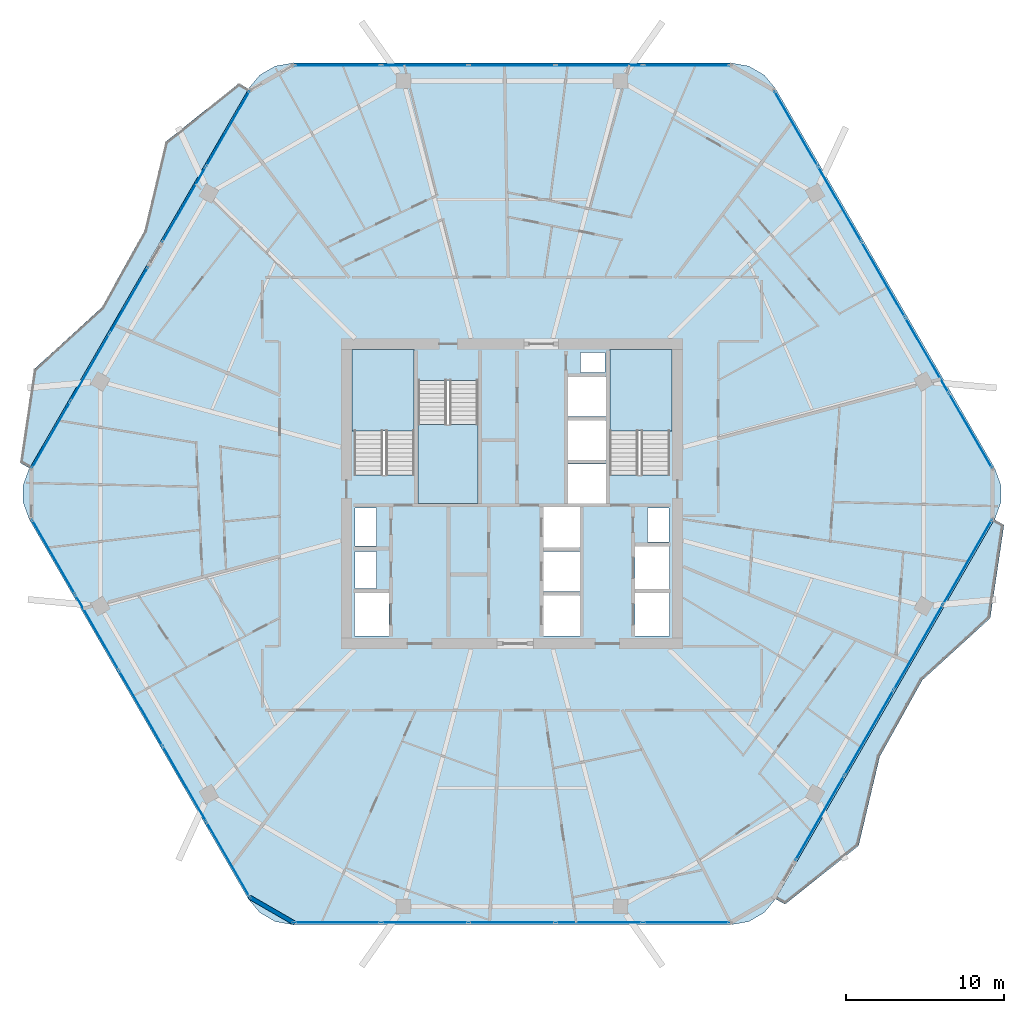
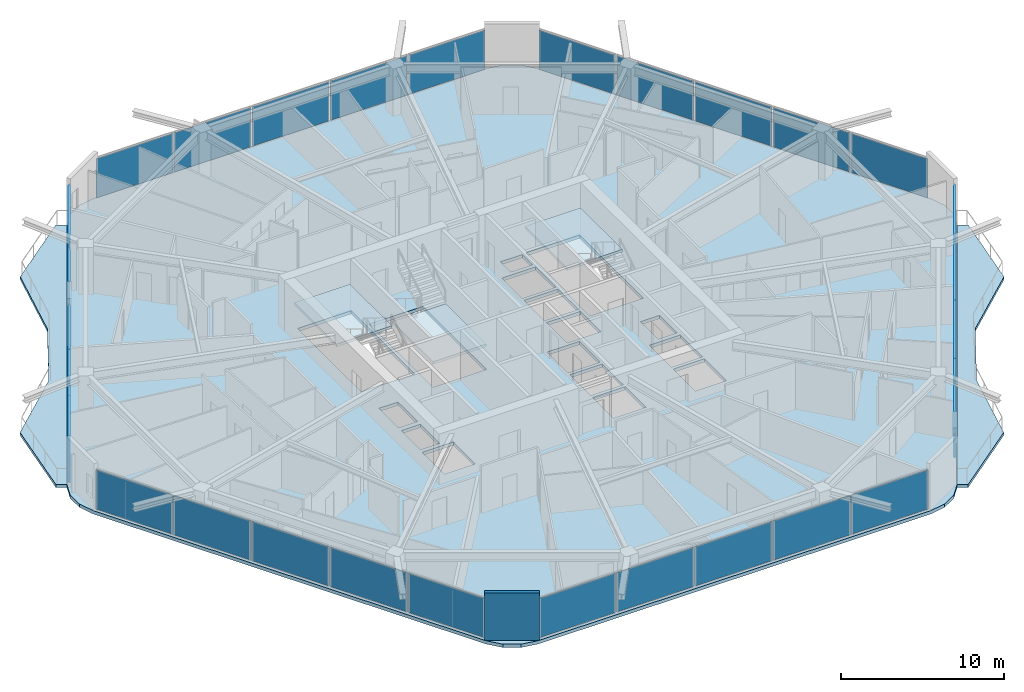
# One storey, part 17 of 27: 29 plates, 6 slabs, 1 wall, 10 elements without a shape of their own.
"""IFC4 building model written with IfcOpenShell, lengths in metres."""

from ifc_helpers import new_model, si_unit, direction, frame, frame_2d, origin, origin_2d, place, context, subcontext, project, spatial, polyline, rectangle, outline, extrude, material, layer, layer_set, type_object, element, aggregate, save


model = new_model("IFC4")

# Units and contexts
model_context = context("Model", 3, precision=1e-05, world=origin(), true_north=direction((0.0, 1.0)))
body_context = subcontext(model_context, "Body", "Model", "MODEL_VIEW")
ifc_project = project(units=[si_unit("LENGTHUNIT", "METRE"), si_unit("AREAUNIT", "SQUARE_METRE"), si_unit("VOLUMEUNIT", "CUBIC_METRE"), si_unit("PLANEANGLEUNIT", "RADIAN"), si_unit("MASSUNIT", "GRAM", prefix="KILO")], contexts=[model_context])

# Site, building, storey
site_placement = place(None, origin())
site = spatial("IfcSite", under=ifc_project, at=site_placement, CompositionType="ELEMENT")
building_placement = place(site_placement, origin())
building = spatial("IfcBuilding", under=site, at=building_placement, Name="Zuhravey Tower", CompositionType="ELEMENT")
storey_placement = place(building_placement, frame((0.0, 0.0, 188.39990234375)))
storey = spatial("IfcBuildingStorey", under=building, at=storey_placement, Name="L47", CompositionType="ELEMENT", Elevation=188.39990234375)

# Slabs
ifc_material_1 = material(Name="Concrete C50/60", Category="concrete")
ifc_layer_1 = layer(ifc_material_1, 0.25)
ifc_layer_set_1 = layer_set([ifc_layer_1], Name="Concrete C50/60")
slab_type_1 = type_object("IfcSlabType", Name="Residential Acoustic Slab 250", PredefinedType="FLOOR", material=ifc_layer_set_1)
slab_1_placement = place(storey_placement, frame((0.0, 0.0, -0.25)))
element("IfcSlab", 1, at=slab_1_placement, inside=storey, type_object=slab_type_1, Name="L47 Floor Slab FS25", PredefinedType="FLOOR", context=body_context, shape_type="SweptSolid", body=[
    extrude(outline(polyline([(66.61181640625, 30.375), (66.997802734375, 31.435546875), (66.997802734375, 32.564453125), (66.61181640625, 33.625), (52.713134765625, 57.697998046875), (51.98779296875, 58.562744140625), (51.01025390625, 59.127197265625), (49.898681640625, 59.322998046875), (22.101318359375, 59.322998046875), (20.98974609375, 59.127197265625), (20.01220703125, 58.562744140625), (19.286865234375, 57.697998046875), (5.38818359375, 33.625), (5.002197265625, 32.564453125), (5.002197265625, 31.435546875), (5.38818359375, 30.375), (19.286865234375, 6.302001953125), (20.01220703125, 5.437255859375), (20.98974609375, 4.872802734375), (22.101318359375, 4.677001953125), (49.898681640625, 4.677001953125), (51.01025390625, 4.872802734375), (51.98779296875, 5.437255859375), (52.713134765625, 6.302001953125), (66.61181640625, 30.375)]), holes=[polyline([(29.800048828125, 33.20068359375), (29.800048828125, 41.0), (26.0, 41.0), (26.0, 33.20068359375), (29.800048828125, 33.20068359375)]), polyline([(46.0, 33.20068359375), (46.0, 41.0), (42.199951171875, 41.0), (42.199951171875, 33.20068359375), (46.0, 33.20068359375)]), polyline([(30.050048828125, 39.199462890625), (30.050048828125, 31.39990234375), (33.85009765625, 31.39990234375), (33.85009765625, 39.199462890625), (30.050048828125, 39.199462890625)]), polyline([(38.0, 23.0), (40.300048828125, 23.0), (40.300048828125, 25.550048828125), (38.0, 25.550048828125), (38.0, 23.0)]), polyline([(38.0, 25.800048828125), (40.300048828125, 25.800048828125), (40.300048828125, 28.35009765625), (38.0, 28.35009765625), (38.0, 25.800048828125)]), polyline([(38.0, 28.60009765625), (40.300048828125, 28.60009765625), (40.300048828125, 31.14990234375), (38.0, 31.14990234375), (38.0, 28.60009765625)]), polyline([(39.550048828125, 31.39990234375), (41.949951171875, 31.39990234375), (41.949951171875, 33.89990234375), (39.550048828125, 33.89990234375), (39.550048828125, 31.39990234375)]), polyline([(39.550048828125, 34.14990234375), (41.949951171875, 34.14990234375), (41.949951171875, 36.64990234375), (39.550048828125, 36.64990234375), (39.550048828125, 34.14990234375)]), polyline([(39.550048828125, 36.89990234375), (41.949951171875, 36.89990234375), (41.949951171875, 39.39990234375), (39.550048828125, 39.39990234375), (39.550048828125, 36.89990234375)]), polyline([(26.0, 23.0), (28.199951171875, 23.0), (28.199951171875, 25.699951171875), (26.0, 25.699951171875), (26.0, 23.0)]), polyline([(43.800048828125, 23.0), (46.0, 23.0), (46.0, 25.699951171875), (43.800048828125, 25.699951171875), (43.800048828125, 23.0)]), polyline([(43.800048828125, 25.949951171875), (46.0, 25.949951171875), (46.0, 28.64990234375), (43.800048828125, 28.64990234375), (43.800048828125, 25.949951171875)]), polyline([(26.050048828125, 26.0), (27.39990234375, 26.0), (27.39990234375, 28.35009765625), (26.050048828125, 28.35009765625), (26.050048828125, 26.0)]), polyline([(26.050048828125, 28.699951171875), (27.39990234375, 28.699951171875), (27.39990234375, 31.10009765625), (26.050048828125, 31.10009765625), (26.050048828125, 28.699951171875)]), polyline([(44.60009765625, 28.949951171875), (45.949951171875, 28.949951171875), (45.949951171875, 31.10009765625), (44.60009765625, 31.10009765625), (44.60009765625, 28.949951171875)]), polyline([(40.35009765625, 39.699951171875), (41.89990234375, 39.699951171875), (41.89990234375, 40.949951171875), (40.35009765625, 40.949951171875), (40.35009765625, 39.699951171875)])]), origin(), (0.0, 0.0, 1.0), 0.25),
])
ifc_material_2 = material(Name="Concrete C40/50", Category="concrete")
ifc_layer_2 = layer(ifc_material_2, 0.219970703125)
ifc_layer_set_2 = layer_set([ifc_layer_2], Name="Concrete C40/50")
slab_type_2 = type_object("IfcSlabType", Name="Sinusoidal Residential Wave Balcony 220", PredefinedType="FLOOR", material=ifc_layer_set_2)
slab_2_placement = place(storey_placement, frame((0.0, 0.0, -0.219970703125)))
element("IfcSlab", 2, at=slab_2_placement, inside=storey, type_object=slab_type_2, Name="L47 Face 6 Wave Balcony WB22", PredefinedType="FLOOR", context=body_context, shape_type="SweptSolid", body=[
    extrude(outline(polyline([(52.70458984375, 6.31689453125), (66.594482421875, 30.375), (67.20068359375, 30.02490234375), (66.323974609375, 24.11572265625), (62.017578125, 20.1865234375), (59.31787109375, 15.32958984375), (57.978515625, 9.6875), (53.310791015625, 5.966796875), (52.70458984375, 6.31689453125)])), origin(), (0.0, 0.0, 1.0), 0.219970703125),
])
slab_3_placement = place(storey_placement, frame((0.0, 0.0, -0.219970703125)))
element("IfcSlab", 3, at=slab_3_placement, inside=storey, type_object=slab_type_2, Name="L47 Face 3 Wave Balcony WB22", PredefinedType="FLOOR", context=body_context, shape_type="SweptSolid", body=[
    extrude(outline(polyline([(19.29541015625, 57.68310546875), (5.405517578125, 33.625), (4.79931640625, 33.97509765625), (5.676025390625, 39.88427734375), (9.982421875, 43.8134765625), (12.68212890625, 48.67041015625), (14.021484375, 54.3125), (18.689208984375, 58.033203125), (19.29541015625, 57.68310546875)])), origin(), (0.0, 0.0, 1.0), 0.219970703125),
])

# Stair, slab
stair_type = type_object("IfcStairType", Name="Housing Storey Stair Assembly 3800", PredefinedType="HALF_TURN_STAIR", material=ifc_material_2)
stair_1_placement = place(storey_placement, origin())
stair_1 = element("IfcStair", 4, at=stair_1_placement, inside=storey, type_object=stair_type, Name="L47 Core Exit Stair ST1", PredefinedType="HALF_TURN_STAIR")
ifc_layer_3 = layer(ifc_material_2, 0.199951171875)
ifc_layer_set_3 = layer_set([ifc_layer_3], Name="Concrete C40/50")
slab_type_3 = type_object("IfcSlabType", Name="Stair Landing Slab 200", PredefinedType="LANDING", material=ifc_layer_set_3)
slab_4_placement = place(storey_placement, frame((0.0, 0.0, 1.7001953125)))
slab_4 = element("IfcSlab", 5, at=slab_4_placement, type_object=slab_type_3, Name="ST1 landing 1", PredefinedType="LANDING", context=body_context, shape_type="SweptSolid", body=[
    extrude(outline(polyline([(29.800048828125, 36.0), (29.800048828125, 41.14794921875), (25.85205078125, 41.14794921875), (25.85205078125, 36.0), (29.800048828125, 36.0)])), origin(), (0.0, 0.0, 1.0), 0.199951171875),
])
aggregate(stair_1, [slab_4])

stair_2_placement = place(storey_placement, origin())
stair_2 = element("IfcStair", 6, at=stair_2_placement, inside=storey, type_object=stair_type, Name="L47 Core Exit Stair ST2", PredefinedType="HALF_TURN_STAIR")
slab_5_placement = place(storey_placement, frame((0.0, 0.0, 1.7001953125)))
slab_5 = element("IfcSlab", 7, at=slab_5_placement, type_object=slab_type_3, Name="ST2 landing 1", PredefinedType="LANDING", context=body_context, shape_type="SweptSolid", body=[
    extrude(outline(polyline([(46.14794921875, 36.0), (46.14794921875, 41.14794921875), (42.199951171875, 41.14794921875), (42.199951171875, 36.0), (46.14794921875, 36.0)])), origin(), (0.0, 0.0, 1.0), 0.199951171875),
])
aggregate(stair_2, [slab_5])

stair_3_placement = place(storey_placement, origin())
stair_3 = element("IfcStair", 8, at=stair_3_placement, inside=storey, type_object=stair_type, Name="L47 Core Exit Stair ST3", PredefinedType="HALF_TURN_STAIR")
slab_6_placement = place(storey_placement, frame((0.0, 0.0, 1.7001953125)))
slab_6 = element("IfcSlab", 9, at=slab_6_placement, type_object=slab_type_3, Name="ST3 landing 1", PredefinedType="LANDING", context=body_context, shape_type="SweptSolid", body=[
    extrude(outline(polyline([(30.050048828125, 36.39990234375), (30.050048828125, 31.39990234375), (33.85009765625, 31.39990234375), (33.85009765625, 36.39990234375), (30.050048828125, 36.39990234375)])), origin(), (0.0, 0.0, 1.0), 0.199951171875),
])
aggregate(stair_3, [slab_6])

# Curtain wall, plates
ifc_material_3 = material(Name="Thermally broken anodised aluminium", Category="aluminium")
curtain_wall_type = type_object("IfcCurtainWallType", Name="Zone 1-2 Residential Curtain Wall CW3", PredefinedType="NOTDEFINED", material=ifc_material_3)
curtain_wall_1_placement = place(storey_placement, origin())
curtain_wall_1 = element("IfcCurtainWall", 10, at=curtain_wall_1_placement, inside=storey, type_object=curtain_wall_type, Name="L47 CW3 CW-L47-F6-1", PredefinedType="NOTDEFINED")
ifc_material_4 = material(Name="Triple low-E insulated vision glass", Category="glass")
ifc_layer_4 = layer(ifc_material_4, 0.0419921875)
ifc_layer_set_4 = layer_set([ifc_layer_4], Name="Triple low-E insulated vision glass")
plate_type = type_object("IfcPlateType", Name="Triple Low-E Vision Panel", PredefinedType="CURTAIN_PANEL", material=ifc_layer_set_4)
plate_1_placement = place(storey_placement, frame((64.894287109375, 27.68017578125, 0.090087890625), z_axis=(0.0, 0.0, 1.0), x_axis=(-0.499999354559, -0.866025776429, 0.0)))
plate_1 = element("IfcPlate", 11, at=plate_1_placement, type_object=plate_type, Name="CW3 panel 1.1", PredefinedType="CURTAIN_PANEL", context=body_context, shape_type="SweptSolid", body=[
    extrude(rectangle(XDim=6.13037109375, YDim=0.0419921875, at=origin_2d()), origin(), (0.0, 0.0, 1.0), 2.94189453125),
])
plate_2_placement = place(storey_placement, frame((61.77294921875, 22.273681640625, 0.090087890625), z_axis=(0.0, 0.0, 1.0), x_axis=(-0.499999354559, -0.866025776429, 0.0)))
plate_2 = element("IfcPlate", 12, at=plate_2_placement, type_object=plate_type, Name="CW3 panel 2.1", PredefinedType="CURTAIN_PANEL", context=body_context, shape_type="SweptSolid", body=[
    extrude(rectangle(XDim=6.17529296875, YDim=0.0419921875, at=origin_2d()), origin(), (0.0, 0.0, 1.0), 2.94189453125),
])
plate_3_placement = place(storey_placement, frame((58.64013671875, 16.847900390625, 0.090087890625), z_axis=(0.0, 0.0, 1.0), x_axis=(-0.499999354559, -0.866025776429, 0.0)))
plate_3 = element("IfcPlate", 13, at=plate_3_placement, type_object=plate_type, Name="CW3 panel 3.1", PredefinedType="CURTAIN_PANEL", context=body_context, shape_type="SweptSolid", body=[
    extrude(rectangle(XDim=6.17529296875, YDim=0.0419921875, at=origin_2d()), origin(), (0.0, 0.0, 1.0), 2.94189453125),
])
plate_4_placement = place(storey_placement, frame((55.518798828125, 11.44140625, 0.090087890625), z_axis=(0.0, 0.0, 1.0), x_axis=(-0.499999354559, -0.866025776429, 0.0)))
plate_4 = element("IfcPlate", 14, at=plate_4_placement, type_object=plate_type, Name="CW3 panel 4.1", PredefinedType="CURTAIN_PANEL", context=body_context, shape_type="SweptSolid", body=[
    extrude(rectangle(XDim=6.13037109375, YDim=0.0419921875, at=origin_2d()), origin(), (0.0, 0.0, 1.0), 2.94189453125),
])
aggregate(curtain_wall_1, [plate_1, plate_2, plate_3, plate_4])

curtain_wall_2_placement = place(storey_placement, origin())
curtain_wall_2 = element("IfcCurtainWall", 15, at=curtain_wall_2_placement, inside=storey, type_object=curtain_wall_type, Name="L47 CW3 CW-L47-F5-1", PredefinedType="NOTDEFINED")
plate_5_placement = place(storey_placement, frame((47.06640625, 4.81689453125, 0.090087890625), z_axis=(0.0, 0.0, 1.0), x_axis=(-1.0, 0.0, 0.0)))
plate_5 = element("IfcPlate", 16, at=plate_5_placement, type_object=plate_type, Name="CW3 panel 1.1", PredefinedType="CURTAIN_PANEL", context=body_context, shape_type="SweptSolid", body=[
    extrude(rectangle(XDim=5.409423828125, YDim=0.0419921875, at=origin_2d()), origin(), (0.0, 0.0, 1.0), 2.94189453125),
])
plate_6_placement = place(storey_placement, frame((41.54443359375, 4.81689453125, 0.090087890625), z_axis=(0.0, 0.0, 1.0), x_axis=(-1.0, 0.0, 0.0)))
plate_6 = element("IfcPlate", 17, at=plate_6_placement, type_object=plate_type, Name="CW3 panel 2.1", PredefinedType="CURTAIN_PANEL", context=body_context, shape_type="SweptSolid", body=[
    extrude(rectangle(XDim=5.454345703125, YDim=0.0419921875, at=origin_2d()), origin(), (0.0, 0.0, 1.0), 2.94189453125),
])
plate_7_placement = place(storey_placement, frame((36.0, 4.81689453125, 0.090087890625), z_axis=(0.0, 0.0, 1.0), x_axis=(-1.0, 0.0, 0.0)))
plate_7 = element("IfcPlate", 18, at=plate_7_placement, type_object=plate_type, Name="CW3 panel 3.1", PredefinedType="CURTAIN_PANEL", context=body_context, shape_type="SweptSolid", body=[
    extrude(rectangle(XDim=5.454345703125, YDim=0.0419921875, at=origin_2d()), origin(), (0.0, 0.0, 1.0), 2.94189453125),
])
plate_8_placement = place(storey_placement, frame((30.45556640625, 4.81689453125, 0.090087890625), z_axis=(0.0, 0.0, 1.0), x_axis=(-1.0, 0.0, 0.0)))
plate_8 = element("IfcPlate", 19, at=plate_8_placement, type_object=plate_type, Name="CW3 panel 4.1", PredefinedType="CURTAIN_PANEL", context=body_context, shape_type="SweptSolid", body=[
    extrude(rectangle(XDim=5.454345703125, YDim=0.0419921875, at=origin_2d()), origin(), (0.0, 0.0, 1.0), 2.94189453125),
])
plate_9_placement = place(storey_placement, frame((24.93359375, 4.81689453125, 0.090087890625), z_axis=(0.0, 0.0, 1.0), x_axis=(-1.0, 0.0, 0.0)))
plate_9 = element("IfcPlate", 20, at=plate_9_placement, type_object=plate_type, Name="CW3 panel 5.1", PredefinedType="CURTAIN_PANEL", context=body_context, shape_type="SweptSolid", body=[
    extrude(rectangle(XDim=5.409423828125, YDim=0.0419921875, at=origin_2d()), origin(), (0.0, 0.0, 1.0), 2.94189453125),
])
aggregate(curtain_wall_2, [plate_5, plate_6, plate_7, plate_8, plate_9])

curtain_wall_3_placement = place(storey_placement, origin())
curtain_wall_3 = element("IfcCurtainWall", 21, at=curtain_wall_3_placement, inside=storey, type_object=curtain_wall_type, Name="L47 CW3 CW-L47-F4-1", PredefinedType="NOTDEFINED")
plate_10_placement = place(storey_placement, frame((17.991943359375, 8.82470703125, 0.090087890625), z_axis=(0.0, 0.0, 1.0), x_axis=(-0.500000459979, 0.866025138215, 0.0)))
plate_10 = element("IfcPlate", 22, at=plate_10_placement, type_object=plate_type, Name="CW3 panel 1.1", PredefinedType="CURTAIN_PANEL", context=body_context, shape_type="SweptSolid", body=[
    extrude(rectangle(XDim=5.409423828125, YDim=0.0419921875, at=origin_2d()), origin(), (0.0, 0.0, 1.0), 2.94189453125),
])
plate_11_placement = place(storey_placement, frame((15.23095703125, 13.60693359375, 0.090087890625), z_axis=(0.0, 0.0, 1.0), x_axis=(-0.500000459979, 0.866025138215, 0.0)))
plate_11 = element("IfcPlate", 23, at=plate_11_placement, type_object=plate_type, Name="CW3 panel 2.1", PredefinedType="CURTAIN_PANEL", context=body_context, shape_type="SweptSolid", body=[
    extrude(rectangle(XDim=5.454345703125, YDim=0.0419921875, at=origin_2d()), origin(), (0.0, 0.0, 1.0), 2.94189453125),
])
plate_12_placement = place(storey_placement, frame((12.458740234375, 18.408447265625, 0.090087890625), z_axis=(0.0, 0.0, 1.0), x_axis=(-0.500000459979, 0.866025138215, 0.0)))
plate_12 = element("IfcPlate", 24, at=plate_12_placement, type_object=plate_type, Name="CW3 panel 3.1", PredefinedType="CURTAIN_PANEL", context=body_context, shape_type="SweptSolid", body=[
    extrude(rectangle(XDim=5.454345703125, YDim=0.0419921875, at=origin_2d()), origin(), (0.0, 0.0, 1.0), 2.94189453125),
])
plate_13_placement = place(storey_placement, frame((9.6865234375, 23.2099609375, 0.090087890625), z_axis=(0.0, 0.0, 1.0), x_axis=(-0.500000459979, 0.866025138215, 0.0)))
plate_13 = element("IfcPlate", 25, at=plate_13_placement, type_object=plate_type, Name="CW3 panel 4.1", PredefinedType="CURTAIN_PANEL", context=body_context, shape_type="SweptSolid", body=[
    extrude(rectangle(XDim=5.454345703125, YDim=0.0419921875, at=origin_2d()), origin(), (0.0, 0.0, 1.0), 2.94189453125),
])
plate_14_placement = place(storey_placement, frame((6.925537109375, 27.9921875, 0.090087890625), z_axis=(0.0, 0.0, 1.0), x_axis=(-0.500000459979, 0.866025138215, 0.0)))
plate_14 = element("IfcPlate", 26, at=plate_14_placement, type_object=plate_type, Name="CW3 panel 5.1", PredefinedType="CURTAIN_PANEL", context=body_context, shape_type="SweptSolid", body=[
    extrude(rectangle(XDim=5.409423828125, YDim=0.0419921875, at=origin_2d()), origin(), (0.0, 0.0, 1.0), 2.94189453125),
])
aggregate(curtain_wall_3, [plate_10, plate_11, plate_12, plate_13, plate_14])

curtain_wall_4_placement = place(storey_placement, origin())
curtain_wall_4 = element("IfcCurtainWall", 27, at=curtain_wall_4_placement, inside=storey, type_object=curtain_wall_type, Name="L47 CW3 CW-L47-F3-1", PredefinedType="NOTDEFINED")
plate_15_placement = place(storey_placement, frame((6.776123046875, 35.7490234375, 0.090087890625), z_axis=(0.0, 0.0, 1.0), x_axis=(0.499998722737, 0.866026141211, 0.0)))
plate_15 = element("IfcPlate", 28, at=plate_15_placement, type_object=plate_type, Name="CW3 panel 1.1", PredefinedType="CURTAIN_PANEL", context=body_context, shape_type="SweptSolid", body=[
    extrude(rectangle(XDim=4.81201171875, YDim=0.0419921875, at=origin_2d()), origin(), (0.0, 0.0, 1.0), 2.94189453125),
])
plate_16_placement = place(storey_placement, frame((9.238525390625, 40.013916015625, 0.090087890625), z_axis=(0.0, 0.0, 1.0), x_axis=(0.499998722737, 0.866026141211, 0.0)))
plate_16 = element("IfcPlate", 29, at=plate_16_placement, type_object=plate_type, Name="CW3 panel 2.1", PredefinedType="CURTAIN_PANEL", context=body_context, shape_type="SweptSolid", body=[
    extrude(rectangle(XDim=4.857177734375, YDim=0.0419921875, at=origin_2d()), origin(), (0.0, 0.0, 1.0), 2.94189453125),
])
plate_17_placement = place(storey_placement, frame((11.70068359375, 44.27880859375, 0.090087890625), z_axis=(0.0, 0.0, 1.0), x_axis=(0.499998722737, 0.866026141211, 0.0)))
plate_17 = element("IfcPlate", 30, at=plate_17_placement, type_object=plate_type, Name="CW3 panel 3.1", PredefinedType="CURTAIN_PANEL", context=body_context, shape_type="SweptSolid", body=[
    extrude(rectangle(XDim=4.81201171875, YDim=0.0419921875, at=origin_2d()), origin(), (0.0, 0.0, 1.0), 2.94189453125),
])
aggregate(curtain_wall_4, [plate_15, plate_16, plate_17])

curtain_wall_5_placement = place(storey_placement, origin())
curtain_wall_5 = element("IfcCurtainWall", 31, at=curtain_wall_5_placement, inside=storey, type_object=curtain_wall_type, Name="L47 CW3 CW-L47-F3-2", PredefinedType="NOTDEFINED")
plate_18_placement = place(storey_placement, frame((15.207763671875, 50.352783203125, 0.090087890625), z_axis=(0.0, 0.0, 1.0), x_axis=(0.50000116337, 0.866024732111, 0.0)))
plate_18 = element("IfcPlate", 32, at=plate_18_placement, type_object=plate_type, Name="CW3 panel 1.1", PredefinedType="CURTAIN_PANEL", context=body_context, shape_type="SweptSolid", body=[
    extrude(rectangle(XDim=5.45556640625, YDim=0.0419921875, at=origin_2d()), origin(), (0.0, 0.0, 1.0), 2.94189453125),
])
plate_19_placement = place(storey_placement, frame((17.98046875, 55.1552734375, 0.090087890625), z_axis=(0.0, 0.0, 1.0), x_axis=(0.50000116337, 0.866024732111, 0.0)))
plate_19 = element("IfcPlate", 33, at=plate_19_placement, type_object=plate_type, Name="CW3 panel 2.1", PredefinedType="CURTAIN_PANEL", context=body_context, shape_type="SweptSolid", body=[
    extrude(rectangle(XDim=5.45556640625, YDim=0.0419921875, at=origin_2d()), origin(), (0.0, 0.0, 1.0), 2.94189453125),
])
aggregate(curtain_wall_5, [plate_18, plate_19])

curtain_wall_6_placement = place(storey_placement, origin())
curtain_wall_6 = element("IfcCurtainWall", 34, at=curtain_wall_6_placement, inside=storey, type_object=curtain_wall_type, Name="L47 CW3 CW-L47-F2-1", PredefinedType="NOTDEFINED")
plate_20_placement = place(storey_placement, frame((24.93359375, 59.18310546875, 0.090087890625), z_axis=(0.0, 0.0, 1.0), x_axis=(1.0, 0.0, 0.0)))
plate_20 = element("IfcPlate", 35, at=plate_20_placement, type_object=plate_type, Name="CW3 panel 1.1", PredefinedType="CURTAIN_PANEL", context=body_context, shape_type="SweptSolid", body=[
    extrude(rectangle(XDim=5.409423828125, YDim=0.0419921875, at=origin_2d()), origin(), (0.0, 0.0, 1.0), 2.94189453125),
])
plate_21_placement = place(storey_placement, frame((30.45556640625, 59.18310546875, 0.090087890625), z_axis=(0.0, 0.0, 1.0), x_axis=(1.0, 0.0, 0.0)))
plate_21 = element("IfcPlate", 36, at=plate_21_placement, type_object=plate_type, Name="CW3 panel 2.1", PredefinedType="CURTAIN_PANEL", context=body_context, shape_type="SweptSolid", body=[
    extrude(rectangle(XDim=5.454345703125, YDim=0.0419921875, at=origin_2d()), origin(), (0.0, 0.0, 1.0), 2.94189453125),
])
plate_22_placement = place(storey_placement, frame((36.0, 59.18310546875, 0.090087890625), z_axis=(0.0, 0.0, 1.0), x_axis=(1.0, 0.0, 0.0)))
plate_22 = element("IfcPlate", 37, at=plate_22_placement, type_object=plate_type, Name="CW3 panel 3.1", PredefinedType="CURTAIN_PANEL", context=body_context, shape_type="SweptSolid", body=[
    extrude(rectangle(XDim=5.454345703125, YDim=0.0419921875, at=origin_2d()), origin(), (0.0, 0.0, 1.0), 2.94189453125),
])
plate_23_placement = place(storey_placement, frame((41.54443359375, 59.18310546875, 0.090087890625), z_axis=(0.0, 0.0, 1.0), x_axis=(1.0, 0.0, 0.0)))
plate_23 = element("IfcPlate", 38, at=plate_23_placement, type_object=plate_type, Name="CW3 panel 4.1", PredefinedType="CURTAIN_PANEL", context=body_context, shape_type="SweptSolid", body=[
    extrude(rectangle(XDim=5.454345703125, YDim=0.0419921875, at=origin_2d()), origin(), (0.0, 0.0, 1.0), 2.94189453125),
])
plate_24_placement = place(storey_placement, frame((47.06640625, 59.18310546875, 0.090087890625), z_axis=(0.0, 0.0, 1.0), x_axis=(1.0, 0.0, 0.0)))
plate_24 = element("IfcPlate", 39, at=plate_24_placement, type_object=plate_type, Name="CW3 panel 5.1", PredefinedType="CURTAIN_PANEL", context=body_context, shape_type="SweptSolid", body=[
    extrude(rectangle(XDim=5.409423828125, YDim=0.0419921875, at=origin_2d()), origin(), (0.0, 0.0, 1.0), 2.94189453125),
])
aggregate(curtain_wall_6, [plate_20, plate_21, plate_22, plate_23, plate_24])

curtain_wall_7_placement = place(storey_placement, origin())
curtain_wall_7 = element("IfcCurtainWall", 40, at=curtain_wall_7_placement, inside=storey, type_object=curtain_wall_type, Name="L47 CW3 CW-L47-F1-1", PredefinedType="NOTDEFINED")
plate_25_placement = place(storey_placement, frame((54.008056640625, 55.17529296875, 0.090087890625), z_axis=(0.0, 0.0, 1.0), x_axis=(0.500000459979, -0.866025138215, 0.0)))
plate_25 = element("IfcPlate", 41, at=plate_25_placement, type_object=plate_type, Name="CW3 panel 1.1", PredefinedType="CURTAIN_PANEL", context=body_context, shape_type="SweptSolid", body=[
    extrude(rectangle(XDim=5.409423828125, YDim=0.0419921875, at=origin_2d()), origin(), (0.0, 0.0, 1.0), 2.94189453125),
])
plate_26_placement = place(storey_placement, frame((56.76904296875, 50.39306640625, 0.090087890625), z_axis=(0.0, 0.0, 1.0), x_axis=(0.500000459979, -0.866025138215, 0.0)))
plate_26 = element("IfcPlate", 42, at=plate_26_placement, type_object=plate_type, Name="CW3 panel 2.1", PredefinedType="CURTAIN_PANEL", context=body_context, shape_type="SweptSolid", body=[
    extrude(rectangle(XDim=5.454345703125, YDim=0.0419921875, at=origin_2d()), origin(), (0.0, 0.0, 1.0), 2.94189453125),
])
plate_27_placement = place(storey_placement, frame((59.541259765625, 45.591552734375, 0.090087890625), z_axis=(0.0, 0.0, 1.0), x_axis=(0.500000459979, -0.866025138215, 0.0)))
plate_27 = element("IfcPlate", 43, at=plate_27_placement, type_object=plate_type, Name="CW3 panel 3.1", PredefinedType="CURTAIN_PANEL", context=body_context, shape_type="SweptSolid", body=[
    extrude(rectangle(XDim=5.454345703125, YDim=0.0419921875, at=origin_2d()), origin(), (0.0, 0.0, 1.0), 2.94189453125),
])
plate_28_placement = place(storey_placement, frame((62.3134765625, 40.7900390625, 0.090087890625), z_axis=(0.0, 0.0, 1.0), x_axis=(0.500000459979, -0.866025138215, 0.0)))
plate_28 = element("IfcPlate", 44, at=plate_28_placement, type_object=plate_type, Name="CW3 panel 4.1", PredefinedType="CURTAIN_PANEL", context=body_context, shape_type="SweptSolid", body=[
    extrude(rectangle(XDim=5.454345703125, YDim=0.0419921875, at=origin_2d()), origin(), (0.0, 0.0, 1.0), 2.94189453125),
])
plate_29_placement = place(storey_placement, frame((65.074462890625, 36.0078125, 0.090087890625), z_axis=(0.0, 0.0, 1.0), x_axis=(0.500000459979, -0.866025138215, 0.0)))
plate_29 = element("IfcPlate", 45, at=plate_29_placement, type_object=plate_type, Name="CW3 panel 5.1", PredefinedType="CURTAIN_PANEL", context=body_context, shape_type="SweptSolid", body=[
    extrude(rectangle(XDim=5.409423828125, YDim=0.0419921875, at=origin_2d()), origin(), (0.0, 0.0, 1.0), 2.94189453125),
])
aggregate(curtain_wall_7, [plate_25, plate_26, plate_27, plate_28, plate_29])

# Wall
ifc_material_5 = material(Name="Precast concrete C40/50", Category="concrete")
ifc_layer_5 = layer(ifc_material_5, 0.280029296875)
ifc_layer_set_5 = layer_set([ifc_layer_5], Name="Precast concrete C40/50")
wall_type = type_object("IfcWallType", Name="Crown Architectural Wall 280", PredefinedType="SOLIDWALL", material=ifc_layer_set_5)
wall_placement = place(storey_placement, frame((22.22119140625, 4.769287109375, 0.0), z_axis=(0.0, 0.0, 1.0), x_axis=(-0.866020068361, 0.500009241111, 0.0)))
element("IfcWall", 46, at=wall_placement, inside=storey, type_object=wall_type, Name="L47 Rounded Corner Closure Wall EW28-04", PredefinedType="SOLIDWALL", context=body_context, shape_type="SweptSolid", body=[
    extrude(rectangle(XDim=3.365234375, YDim=0.280029296875, at=frame_2d((1.6826171875, 0.0))), origin(), (0.0, 0.0, 1.0), 3.550048828125),
])

save(model, "model.ifc")
